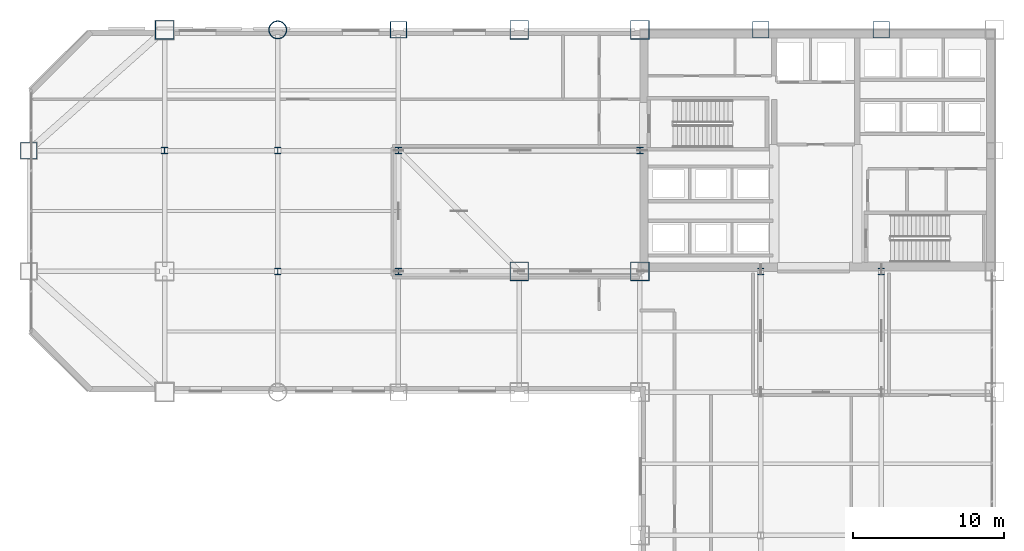
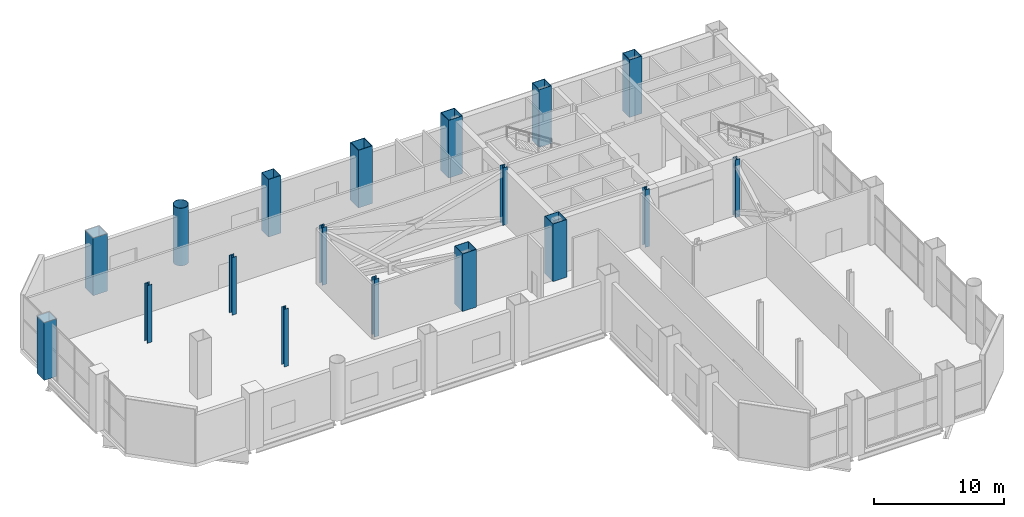
# One storey, part 2 of 26: 18 columns.
"""IFC4 building model written with IfcOpenShell, lengths in metres."""

import ifcopenshell
import ifcopenshell.guid

model = None  # the IFC model being written
_history = None  # IfcOwnerHistory: only IFC2X3 demands one
_inside = {}  # id of a spatial element -> (the spatial element, [elements in it])
_under = {}  # id of a project, library or spatial element -> (it, [spatial elements below it])
_declared = {}  # id of a project -> (the project, [libraries it declares])
_typed = {}  # id of a type object -> (the type object, [elements of that type])
_made_of = {}  # id of a material, layer set ... -> (it, [elements and type objects made of it])


def new_model(schema):
    """Start an empty IFC model of exactly this schema.

    Asked for "IFC4X3", IfcOpenShell would pick the latest addendum, in which some entities
    have other attributes; the version numbers below select the first issue.
    IFC2X3 requires an IfcOwnerHistory on every rooted entity: one is made here for all.
    """
    global model, _history
    if schema == "IFC4X3":
        model = ifcopenshell.file(schema_version=(4, 3, 0, 0))
    else:
        model = ifcopenshell.file(schema=schema)
    _inside.clear()
    _under.clear()
    _declared.clear()
    _typed.clear()
    _made_of.clear()
    _history = None
    if model.schema == "IFC2X3":
        org = make("IfcOrganization", Name="unknown")
        user = make(
            "IfcPersonAndOrganization",
            ThePerson=make("IfcPerson", FamilyName="unknown"),
            TheOrganization=org,
        )
        app = make(
            "IfcApplication",
            ApplicationDeveloper=org,
            Version="unknown",
            ApplicationFullName="unknown",
            ApplicationIdentifier="unknown",
        )
        _history = make(
            "IfcOwnerHistory",
            OwningUser=user,
            OwningApplication=app,
            ChangeAction="ADDED",
            CreationDate=0,
        )
    return model


def make(cls, **values):
    """One entity of the class cls with the attributes given. An attribute that is None is left unset."""
    return model.create_entity(
        cls, **{name: value for name, value in values.items() if value is not None}
    )


def rooted(cls, **values):
    """An entity with a GlobalId (a new one), such as an element, a storey or a relation."""
    return make(cls, GlobalId=ifcopenshell.guid.new(), OwnerHistory=_history, **values)


def si_unit(unit_type, name, prefix=None):
    """IfcSIUnit, for example si_unit("LENGTHUNIT", "METRE", prefix="MILLI")."""
    return make("IfcSIUnit", UnitType=unit_type, Prefix=prefix, Name=name)


def assignment(units):
    """IfcUnitAssignment: the units of a project."""
    return None if units is None else make("IfcUnitAssignment", Units=units)


def point(xyz):
    """IfcCartesianPoint."""
    return None if xyz is None else make("IfcCartesianPoint", Coordinates=xyz)


def direction(xyz):
    """IfcDirection."""
    return None if xyz is None else make("IfcDirection", DirectionRatios=xyz)


def frame(location, z_axis=None, x_axis=None):
    """IfcAxis2Placement3D, a coordinate frame: its origin and axes. An axis left out is left unset."""
    return make(
        "IfcAxis2Placement3D",
        Location=point(location),
        Axis=direction(z_axis),
        RefDirection=direction(x_axis),
    )


def frame_2d(location, x_axis=None):
    """IfcAxis2Placement2D, a coordinate frame in the plane: its origin and x axis."""
    return make(
        "IfcAxis2Placement2D", Location=point(location), RefDirection=direction(x_axis)
    )


def origin():
    """The frame at (0, 0, 0) with its axes left unset."""
    return frame((0.0, 0.0, 0.0))


def origin_2d():
    """The frame at (0, 0) in the plane with its x axis left unset."""
    return frame_2d((0.0, 0.0))


def place(relative_to, where):
    """IfcLocalPlacement: puts the frame where relative to a parent placement (None: the world)."""
    return make(
        "IfcLocalPlacement", PlacementRelTo=relative_to, RelativePlacement=where
    )


def context(
    kind, dimensions, precision=None, world=None, true_north=None, identifier=None
):
    """IfcGeometricRepresentationContext, for example the 3D "Model" context."""
    return make(
        "IfcGeometricRepresentationContext",
        ContextIdentifier=identifier,
        ContextType=kind,
        CoordinateSpaceDimension=dimensions,
        Precision=precision,
        WorldCoordinateSystem=world,
        TrueNorth=true_north,
    )


def subcontext(parent, identifier, kind, view, scale=None):
    """IfcGeometricRepresentationSubContext, for example "Body" below "Model"."""
    return make(
        "IfcGeometricRepresentationSubContext",
        ContextIdentifier=identifier,
        ContextType=kind,
        ParentContext=parent,
        TargetScale=scale,
        TargetView=view,
    )


def project(units=None, contexts=None):
    """IfcProject with its units and contexts."""
    return rooted(
        "IfcProject",
        Name="project",
        RepresentationContexts=contexts,
        UnitsInContext=assignment(units),
    )


def spatial(cls, under=None, at=None, **own):
    """A site, building, storey or space (cls), placed at a placement, below another one or the project."""
    s = rooted(cls, ObjectPlacement=at, **own)
    if under is not None:
        _under.setdefault(under.id(), (under, []))[1].append(s)
    return s


def profile(cls, at=None, kind="AREA", **sizes):
    """A parametric profile (cls). Its sizes go by their IFC names, for example OverallWidth=200.0."""
    return make(cls, ProfileType=kind, Position=at, **sizes)


def hollow_rectangle(**sizes):
    """IfcRectangleHollowProfileDef."""
    return profile("IfcRectangleHollowProfileDef", **sizes)


def hollow_circle(**sizes):
    """IfcCircleHollowProfileDef."""
    return profile("IfcCircleHollowProfileDef", **sizes)


def i_section(**sizes):
    """IfcIShapeProfileDef."""
    return profile("IfcIShapeProfileDef", **sizes)


def extrude(swept, where, along, depth):
    """IfcExtrudedAreaSolid: the profile swept, set in the frame where, extruded along a direction by depth."""
    return make(
        "IfcExtrudedAreaSolid",
        SweptArea=swept,
        Position=where,
        ExtrudedDirection=direction(along),
        Depth=depth,
    )


def shape(context_of_items, identifier, shape_type, items):
    """IfcShapeRepresentation: the items that make up one representation, for example the "Body"."""
    return make(
        "IfcShapeRepresentation",
        ContextOfItems=context_of_items,
        RepresentationIdentifier=identifier,
        RepresentationType=shape_type,
        Items=items,
    )


def material(Name=None, Category=None):
    """IfcMaterial."""
    return make("IfcMaterial", Name=Name, Category=Category)


def material_profile(
    of_material, cross_section, Name=None, Category=None, Priority=None
):
    """IfcMaterialProfile: a cross section and its material."""
    return make(
        "IfcMaterialProfile",
        Name=Name,
        Material=of_material,
        Profile=cross_section,
        Priority=Priority,
        Category=Category,
    )


def profile_set(profiles, Name=None, composite=None):
    """IfcMaterialProfileSet."""
    return make(
        "IfcMaterialProfileSet",
        Name=Name,
        MaterialProfiles=profiles,
        CompositeProfile=composite,
    )


def made_of(thing, what):
    """Note that an element or type object is made of a material, layer set ...; save() writes the relation."""
    if what is not None:
        _made_of.setdefault(what.id(), (what, []))[1].append(thing)
    return thing


def type_object(cls, material=None, **own):
    """A type object (cls), such as IfcWallType, which elements share."""
    return made_of(rooted(cls, **own), material)


def element(
    cls,
    number,
    at=None,
    inside=None,
    cuts=None,
    type_object=None,
    material=None,
    context=None,
    identifier="Body",
    shape_type=None,
    held_by="IfcProductDefinitionShape",
    body=None,
    shapes=None,
    **own,
):
    """One element of the class cls, such as IfcWall. Its Tag is "e" and its number.

    at: its placement. inside: the storey or other place that contains it. cuts: it is an
    opening in that element (IfcRelVoidsElement). A single representation is given by context,
    identifier, shape_type and body (its items); several are given by shapes. held_by: the class
    of the entity that holds the representations. save() writes the other relations.
    """
    e = rooted(cls, Tag="e%d" % number, ObjectPlacement=at, **own)
    if body is not None:
        shapes = [shape(context, identifier, shape_type, body)]
    if shapes is not None:
        e.Representation = make(held_by, Representations=shapes)
    if inside is not None:
        _inside.setdefault(inside.id(), (inside, []))[1].append(e)
    if cuts is not None:
        rooted(
            "IfcRelVoidsElement", RelatingBuildingElement=cuts, RelatedOpeningElement=e
        )
    if type_object is not None:
        _typed.setdefault(type_object.id(), (type_object, []))[1].append(e)
    return made_of(e, material)


def aggregate(whole, parts):
    """IfcRelAggregates: a whole, such as a stair, and the parts it consists of."""
    return rooted("IfcRelAggregates", RelatingObject=whole, RelatedObjects=parts)


def save(model, path):
    """Write the relations noted so far, then the file.

    IfcRelAggregates (storeys below a building ...), IfcRelContainedInSpatialStructure (elements
    in a storey), IfcRelDefinesByType, IfcRelAssociatesMaterial and IfcRelDeclares: one each for
    every whole, place, type object, material and project.
    """
    for whole, parts in _under.values():
        aggregate(whole, parts)
    for where, things in _inside.values():
        rooted(
            "IfcRelContainedInSpatialStructure",
            RelatedElements=things,
            RelatingStructure=where,
        )
    for kind, things in _typed.values():
        rooted("IfcRelDefinesByType", RelatedObjects=things, RelatingType=kind)
    for what, things in _made_of.values():
        rooted("IfcRelAssociatesMaterial", RelatedObjects=things, RelatingMaterial=what)
    for by, libraries in _declared.values():
        rooted("IfcRelDeclares", RelatingContext=by, RelatedDefinitions=libraries)
    model.write(path)


model = new_model("IFC4")

# Units and contexts
model_context = context("Model", 3, precision=1e-05, world=origin(), true_north=direction((0.0, 1.0)))
body_context = subcontext(model_context, "Body", "Model", "MODEL_VIEW")
ifc_project = project(units=[si_unit("LENGTHUNIT", "METRE"), si_unit("AREAUNIT", "SQUARE_METRE"), si_unit("VOLUMEUNIT", "CUBIC_METRE"), si_unit("PLANEANGLEUNIT", "RADIAN"), si_unit("MASSUNIT", "GRAM", prefix="KILO")], contexts=[model_context])

# Site, building, storey
site_placement = place(None, origin())
site = spatial("IfcSite", under=ifc_project, at=site_placement, CompositionType="ELEMENT")
building_placement = place(site_placement, origin())
building = spatial("IfcBuilding", under=site, at=building_placement, Name="Qianrong Seaharbour Tower", CompositionType="ELEMENT")
storey_placement = place(building_placement, frame((0.0, 0.0, 108.199951171875)))
storey = spatial("IfcBuildingStorey", under=building, at=storey_placement, Name="L26", CompositionType="ELEMENT", Elevation=108.199951171875)

# Columns
ifc_material = material(Name="Structural steel SN490B", Category="steel")
ifc_material_profile_1 = material_profile(ifc_material, hollow_rectangle(XDim=1.25, YDim=1.25, WallThickness=0.044921875, at=origin_2d()), Name="BOX1250x1250x45")
ifc_profile_set_1 = profile_set([ifc_material_profile_1], Name="Structural steel SN490B")
column_type_1 = type_object("IfcColumnType", Name="COL-CFT-1250", PredefinedType="COLUMN", material=ifc_profile_set_1)
for number, where, z_axis, x_axis, name in (
    (1, (9.0, 52.0, 0.0), (0.0, 0.0, 1.0), (1.0, 0.0, 0.0), "L26 Column MC-2 at G2/GH"),
    (2, (32.5, 36.0, 0.0), (0.0, 0.0, 1.0), (1.0, 0.0, 0.0), "L26 Column MC-2 at G5/GF"),
    (3, (32.5, 52.0, 0.0), (0.0, 0.0, 1.0), (1.0, 0.0, 0.0), "L26 Column MC-2 at G5/GH"),
    (4, (40.5, 36.0, 0.0), (0.0, 0.0, 1.0), (1.0, 0.0, 0.0), "L26 Column MC-2 at G6/GF"),
    (5, (40.5, 52.0, 0.0), (0.0, 0.0, 1.0), (1.0, 0.0, 0.0), "L26 Column MC-2 at G6/GH"),
):
    element("IfcColumn", number, at=place(storey_placement, frame(where, z_axis=z_axis, x_axis=x_axis)), inside=storey, type_object=column_type_1, Name=name, PredefinedType="COLUMN", context=body_context, shape_type="SweptSolid", body=[
        extrude(hollow_rectangle(XDim=1.25, YDim=1.25, WallThickness=0.044921875, at=origin_2d()), origin(), (0.0, 0.0, 1.0), 5.400146484375),
    ])
ifc_material_profile_2 = material_profile(ifc_material, hollow_circle(Radius=0.60009765625, WallThickness=0.0400390625, at=origin_2d()), Name="CHS1200x40")
ifc_profile_set_2 = profile_set([ifc_material_profile_2], Name="Structural steel SN490B")
column_type_2 = type_object("IfcColumnType", Name="COL-CHS-1200", PredefinedType="COLUMN", material=ifc_profile_set_2)
column_placement = place(storey_placement, frame((16.5, 52.0, 0.0), z_axis=(0.0, 0.0, 1.0), x_axis=(1.0, 0.0, 0.0)))
element("IfcColumn", 6, at=column_placement, inside=storey, type_object=column_type_2, Name="L26 Column CC-1 at G3/GH", PredefinedType="COLUMN", context=body_context, shape_type="SweptSolid", body=[
    extrude(hollow_circle(Radius=0.60009765625, WallThickness=0.0400390625, at=origin_2d()), origin(), (0.0, 0.0, 1.0), 5.400146484375),
])
ifc_material_profile_3 = material_profile(ifc_material, i_section(OverallWidth=0.406982421875, OverallDepth=0.427978515625, WebThickness=0.02001953125, FlangeThickness=0.034912109375, FilletRadius=0.02197265625, at=origin_2d()), Name="H428x407x20x35")
ifc_profile_set_3 = profile_set([ifc_material_profile_3], Name="Structural steel SN490B")
column_type_3 = type_object("IfcColumnType", Name="COL-INT-H428", PredefinedType="COLUMN", material=ifc_profile_set_3)
for number, where, z_axis, x_axis, name in (
    (7, (9.0, 44.0, 0.0), (0.0, 0.0, 1.0), (1.0, 0.0, 0.0), "L26 Column IC-2 at G2/GG"),
    (8, (16.5, 36.0, 0.0), (0.0, 0.0, 1.0), (1.0, 0.0, 0.0), "L26 Column IC-2 at G3/GF"),
    (9, (16.5, 44.0, 0.0), (0.0, 0.0, 1.0), (1.0, 0.0, 0.0), "L26 Column IC-2 at G3/GG"),
    (10, (24.5, 36.0, 0.0), (0.0, 0.0, 1.0), (1.0, 0.0, 0.0), "L26 Column IC-2 at G4/GF"),
    (11, (24.5, 44.0, 0.0), (0.0, 0.0, 1.0), (1.0, 0.0, 0.0), "L26 Column IC-2 at G4/GG"),
    (12, (40.5, 44.0, 0.0), (0.0, 0.0, 1.0), (1.0, 0.0, 0.0), "L26 Column IC-2 at G6/GG"),
    (13, (48.5, 36.0, 0.0), (0.0, 0.0, 1.0), (1.0, 0.0, 0.0), "L26 Column IC-2 at G7/GF"),
    (14, (56.5, 36.0, 0.0), (0.0, 0.0, 1.0), (1.0, 0.0, 0.0), "L26 Column IC-2 at G8/GF"),
):
    element("IfcColumn", number, at=place(storey_placement, frame(where, z_axis=z_axis, x_axis=x_axis)), inside=storey, type_object=column_type_3, Name=name, PredefinedType="COLUMN", context=body_context, shape_type="SweptSolid", body=[
        extrude(i_section(OverallWidth=0.406982421875, OverallDepth=0.427978515625, WebThickness=0.02001953125, FlangeThickness=0.034912109375, FilletRadius=0.02197265625, at=origin_2d()), origin(), (0.0, 0.0, 1.0), 5.400146484375),
    ])
ifc_material_profile_4 = material_profile(ifc_material, hollow_rectangle(XDim=1.10009765625, YDim=1.10009765625, WallThickness=0.0400390625, at=origin_2d()), Name="BOX1100x1100x40")
ifc_profile_set_4 = profile_set([ifc_material_profile_4], Name="Structural steel SN490B")
column_type_4 = type_object("IfcColumnType", Name="COL-PER-1100", PredefinedType="COLUMN", material=ifc_profile_set_4)
for number, where, z_axis, x_axis, name in (
    (15, (0.0, 44.0, 0.0), (0.0, 0.0, 1.0), (1.0, 0.0, 0.0), "L26 Column PC-1 at G1/GG"),
    (16, (24.5, 52.0, 0.0), (0.0, 0.0, 1.0), (1.0, 0.0, 0.0), "L26 Column PC-1 at G4/GH"),
    (17, (48.5, 52.0, 0.0), (0.0, 0.0, 1.0), (1.0, 0.0, 0.0), "L26 Column PC-1 at G7/GH"),
    (18, (56.5, 52.0, 0.0), (0.0, 0.0, 1.0), (1.0, 0.0, 0.0), "L26 Column PC-1 at G8/GH"),
):
    element("IfcColumn", number, at=place(storey_placement, frame(where, z_axis=z_axis, x_axis=x_axis)), inside=storey, type_object=column_type_4, Name=name, PredefinedType="COLUMN", context=body_context, shape_type="SweptSolid", body=[
        extrude(hollow_rectangle(XDim=1.10009765625, YDim=1.10009765625, WallThickness=0.0400390625, at=origin_2d()), origin(), (0.0, 0.0, 1.0), 5.400146484375),
    ])

save(model, "model.ifc")
